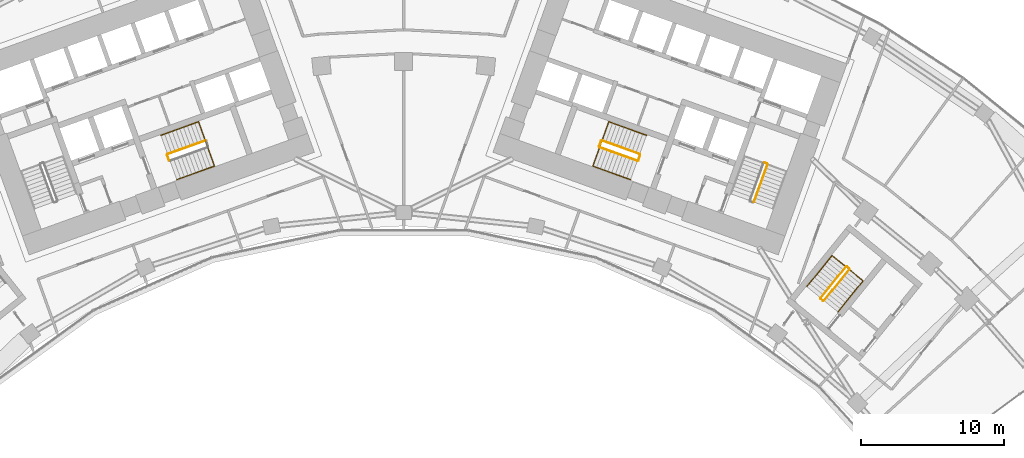
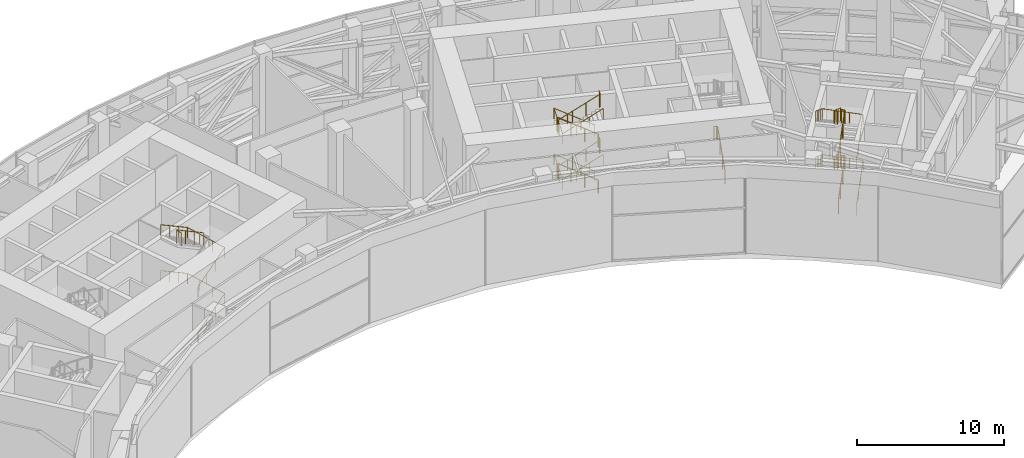
# One storey, part 31 of 32: 16 railings.
"""IFC4 building model written with IfcOpenShell, lengths in metres."""

from ifc_helpers import new_model, si_unit, direction, frame, origin, origin_2d, place, context, subcontext, project, spatial, circle, extrude, material, type_object, element, save


model = new_model("IFC4")

# Units and contexts
model_context = context("Model", 3, precision=1e-05, world=origin(), true_north=direction((0.0, 1.0)))
body_context = subcontext(model_context, "Body", "Model", "MODEL_VIEW")
ifc_project = project(units=[si_unit("LENGTHUNIT", "METRE"), si_unit("AREAUNIT", "SQUARE_METRE"), si_unit("VOLUMEUNIT", "CUBIC_METRE"), si_unit("PLANEANGLEUNIT", "RADIAN"), si_unit("MASSUNIT", "GRAM", prefix="KILO")], contexts=[model_context])

# Site, building, storey
site_placement = place(None, origin())
site = spatial("IfcSite", under=ifc_project, at=site_placement, CompositionType="ELEMENT")
building_placement = place(site_placement, origin())
building = spatial("IfcBuilding", under=site, at=building_placement, Name="Stone Belt Terrace Tower", CompositionType="ELEMENT")
storey_placement = place(building_placement, frame((0.0, 0.0, 193.39990234375)))
storey = spatial("IfcBuildingStorey", under=building, at=storey_placement, Name="L47", CompositionType="ELEMENT", Elevation=193.39990234375)

# Railings
ifc_material = material(Name="Structural steel C345", Category="steel")
railing_type_1 = type_object("IfcRailingType", Name="Stair guard 1100", PredefinedType="GUARDRAIL", material=ifc_material)
railing_1_placement = place(storey_placement, frame((-13.873046875, 49.47509765625, 5.872802734375)))
element("IfcRailing", 1, at=railing_1_placement, inside=storey, type_object=railing_type_1, Name="L47 ST2A stair guard 4", PredefinedType="GUARDRAIL", context=body_context, shape_type="SweptSolid", body=[
    extrude(circle(Radius=0.02392578125, at=origin_2d()), frame((0.0, 0.0, 1.076171875), z_axis=(-0.800808895155, -0.288160591223, 0.52504150989), x_axis=(0.338583606334, -0.940936311087, 0.0)), (0.0, 0.0, 1.0), 3.289794921875),
    extrude(circle(Radius=0.02392578125, at=origin_2d()), frame((-2.634521484375, -0.947998046875, 2.80322265625), z_axis=(-0.427789722475, -0.903878284585, 0.0), x_axis=(0.903878284585, -0.427789722475, 0.0)), (0.0, 0.0, 1.0), 0.07080078125),
    extrude(circle(Radius=0.02392578125, at=origin_2d()), frame((-2.664794921875, -1.011962890625, 2.80322265625), z_axis=(0.338654645739, -0.940910745459, 0.0), x_axis=(0.940910745459, 0.338654645739, 0.0)), (0.0, 0.0, 1.0), 0.400146484375),
    extrude(circle(Radius=0.02099609375, at=origin_2d()), origin(), (0.0, 0.0, 1.0), 1.052001953125),
    extrude(circle(Radius=0.02099609375, at=origin_2d()), frame((-0.878173828125, -0.31591796875, 0.57568359375)), (0.0, 0.0, 1.0), 1.052001953125),
    extrude(circle(Radius=0.02099609375, at=origin_2d()), frame((-1.75634765625, -0.632080078125, 1.151611328125)), (0.0, 0.0, 1.0), 1.052001953125),
    extrude(circle(Radius=0.02099609375, at=origin_2d()), frame((-2.634521484375, -0.947998046875, 1.727294921875)), (0.0, 0.0, 1.0), 1.052001953125),
    extrude(circle(Radius=0.02099609375, at=origin_2d()), frame((-2.664794921875, -1.011962890625, 1.727294921875)), (0.0, 0.0, 1.0), 1.052001953125),
    extrude(circle(Radius=0.02099609375, at=origin_2d()), frame((-2.529296875, -1.388427734375, 1.727294921875)), (0.0, 0.0, 1.0), 1.052001953125),
])
railing_2_placement = place(storey_placement, frame((24.494140625, 45.174560546875, 0.1728515625)))
element("IfcRailing", 2, at=railing_2_placement, inside=storey, type_object=railing_type_1, Name="L47 ST1B stair guard 1", PredefinedType="GUARDRAIL", context=body_context, shape_type="SweptSolid", body=[
    extrude(circle(Radius=0.02392578125, at=origin_2d()), frame((0.0, 0.0, 1.076171875), z_axis=(0.288228637646, 0.800791768495, 0.525030280985), x_axis=(-0.940908529223, 0.338660803216, 0.0)), (0.0, 0.0, 1.0), 3.289794921875),
    extrude(circle(Radius=0.02392578125, at=origin_2d()), frame((0.9482421875, 2.634521484375, 2.80322265625), z_axis=(-0.424964916, 0.905209821074, 0.0), x_axis=(-0.905209821074, -0.424964916, 0.0)), (0.0, 0.0, 1.0), 0.070556640625),
    extrude(circle(Radius=0.02392578125, at=origin_2d()), frame((0.918212890625, 2.698486328125, 2.80322265625), z_axis=(-0.941105063269, 0.338114270461, 0.0), x_axis=(-0.338114270461, -0.941105063269, 0.0)), (0.0, 0.0, 1.0), 0.199951171875),
    extrude(circle(Radius=0.02099609375, at=origin_2d()), origin(), (0.0, 0.0, 1.0), 1.052001953125),
    extrude(circle(Radius=0.02099609375, at=origin_2d()), frame((0.316162109375, 0.878173828125, 0.57568359375)), (0.0, 0.0, 1.0), 1.052001953125),
    extrude(circle(Radius=0.02099609375, at=origin_2d()), frame((0.632080078125, 1.75634765625, 1.151611328125)), (0.0, 0.0, 1.0), 1.052001953125),
    extrude(circle(Radius=0.02099609375, at=origin_2d()), frame((0.9482421875, 2.634521484375, 1.727294921875)), (0.0, 0.0, 1.0), 1.052001953125),
    extrude(circle(Radius=0.02099609375, at=origin_2d()), frame((0.918212890625, 2.698486328125, 1.727294921875)), (0.0, 0.0, 1.0), 1.052001953125),
    extrude(circle(Radius=0.02099609375, at=origin_2d()), frame((0.72998046875, 2.76611328125, 1.727294921875)), (0.0, 0.0, 1.0), 1.052001953125),
])
railing_3_placement = place(storey_placement, frame((16.507568359375, 48.527099609375, 0.1728515625)))
element("IfcRailing", 3, at=railing_3_placement, inside=storey, type_object=railing_type_1, Name="L47 ST2B stair guard 1", PredefinedType="GUARDRAIL", context=body_context, shape_type="SweptSolid", body=[
    extrude(circle(Radius=0.02392578125, at=origin_2d()), frame((0.0, 0.0, 1.076171875), z_axis=(-0.800808895155, 0.288160591223, 0.52504150989), x_axis=(-0.338583606334, -0.940936311087, 0.0)), (0.0, 0.0, 1.0), 3.289794921875),
    extrude(circle(Radius=0.02392578125, at=origin_2d()), frame((-2.634521484375, 0.947998046875, 2.80322265625), z_axis=(-0.905209821074, -0.424964916, 0.0), x_axis=(0.424964916, -0.905209821074, 0.0)), (0.0, 0.0, 1.0), 0.070556640625),
    extrude(circle(Radius=0.02392578125, at=origin_2d()), frame((-2.698486328125, 0.91796875, 2.80322265625), z_axis=(-0.338654645739, -0.940910745459, 0.0), x_axis=(0.940910745459, -0.338654645739, 0.0)), (0.0, 0.0, 1.0), 0.400146484375),
    extrude(circle(Radius=0.02099609375, at=origin_2d()), origin(), (0.0, 0.0, 1.0), 1.052001953125),
    extrude(circle(Radius=0.02099609375, at=origin_2d()), frame((-0.878173828125, 0.31591796875, 0.57568359375)), (0.0, 0.0, 1.0), 1.052001953125),
    extrude(circle(Radius=0.02099609375, at=origin_2d()), frame((-1.75634765625, 0.632080078125, 1.151611328125)), (0.0, 0.0, 1.0), 1.052001953125),
    extrude(circle(Radius=0.02099609375, at=origin_2d()), frame((-2.634521484375, 0.947998046875, 1.727294921875)), (0.0, 0.0, 1.0), 1.052001953125),
    extrude(circle(Radius=0.02099609375, at=origin_2d()), frame((-2.698486328125, 0.91796875, 1.727294921875)), (0.0, 0.0, 1.0), 1.052001953125),
    extrude(circle(Radius=0.02099609375, at=origin_2d()), frame((-2.833984375, 0.54150390625, 1.727294921875)), (0.0, 0.0, 1.0), 1.052001953125),
])
railing_4_placement = place(storey_placement, frame((13.703857421875, 49.004638671875, 2.07275390625)))
element("IfcRailing", 4, at=railing_4_placement, inside=storey, type_object=railing_type_1, Name="L47 ST2B stair guard 2", PredefinedType="GUARDRAIL", context=body_context, shape_type="SweptSolid", body=[
    extrude(circle(Radius=0.02392578125, at=origin_2d()), frame((0.0, 0.0, 1.076171875), z_axis=(0.800808895155, -0.288160591223, 0.52504150989), x_axis=(0.338583606334, 0.940936311087, 0.0)), (0.0, 0.0, 1.0), 3.289794921875),
    extrude(circle(Radius=0.02392578125, at=origin_2d()), frame((2.634521484375, -0.947998046875, 2.80322265625), z_axis=(0.905209821074, 0.424964916, 0.0), x_axis=(-0.424964916, 0.905209821074, 0.0)), (0.0, 0.0, 1.0), 0.070556640625),
    extrude(circle(Radius=0.02392578125, at=origin_2d()), frame((2.698486328125, -0.91796875, 2.80322265625), z_axis=(0.338654645739, 0.940910745459, 0.0), x_axis=(-0.940910745459, 0.338654645739, 0.0)), (0.0, 0.0, 1.0), 0.400146484375),
    extrude(circle(Radius=0.02099609375, at=origin_2d()), origin(), (0.0, 0.0, 1.0), 1.052001953125),
    extrude(circle(Radius=0.02099609375, at=origin_2d()), frame((0.878173828125, -0.31591796875, 0.57568359375)), (0.0, 0.0, 1.0), 1.052001953125),
    extrude(circle(Radius=0.02099609375, at=origin_2d()), frame((1.75634765625, -0.632080078125, 1.151611328125)), (0.0, 0.0, 1.0), 1.052001953125),
    extrude(circle(Radius=0.02099609375, at=origin_2d()), frame((2.634521484375, -0.947998046875, 1.727294921875)), (0.0, 0.0, 1.0), 1.052001953125),
    extrude(circle(Radius=0.02099609375, at=origin_2d()), frame((2.698486328125, -0.91796875, 1.727294921875)), (0.0, 0.0, 1.0), 1.052001953125),
    extrude(circle(Radius=0.02099609375, at=origin_2d()), frame((2.833984375, -0.54150390625, 1.727294921875)), (0.0, 0.0, 1.0), 1.052001953125),
])
railing_5_placement = place(storey_placement, frame((16.507568359375, 48.527099609375, 3.972900390625)))
element("IfcRailing", 5, at=railing_5_placement, inside=storey, type_object=railing_type_1, Name="L47 ST2B stair guard 3", PredefinedType="GUARDRAIL", context=body_context, shape_type="SweptSolid", body=[
    extrude(circle(Radius=0.02392578125, at=origin_2d()), frame((0.0, 0.0, 1.076171875), z_axis=(-0.800808895155, 0.288160591223, 0.52504150989), x_axis=(-0.338583606334, -0.940936311087, 0.0)), (0.0, 0.0, 1.0), 3.289794921875),
    extrude(circle(Radius=0.02392578125, at=origin_2d()), frame((-2.634521484375, 0.947998046875, 2.80322265625), z_axis=(-0.905209821074, -0.424964916, 0.0), x_axis=(0.424964916, -0.905209821074, 0.0)), (0.0, 0.0, 1.0), 0.070556640625),
    extrude(circle(Radius=0.02392578125, at=origin_2d()), frame((-2.698486328125, 0.91796875, 2.80322265625), z_axis=(-0.338654645739, -0.940910745459, 0.0), x_axis=(0.940910745459, -0.338654645739, 0.0)), (0.0, 0.0, 1.0), 0.400146484375),
    extrude(circle(Radius=0.02099609375, at=origin_2d()), origin(), (0.0, 0.0, 1.0), 1.052001953125),
    extrude(circle(Radius=0.02099609375, at=origin_2d()), frame((-0.878173828125, 0.31591796875, 0.57568359375)), (0.0, 0.0, 1.0), 1.052001953125),
    extrude(circle(Radius=0.02099609375, at=origin_2d()), frame((-1.75634765625, 0.632080078125, 1.151611328125)), (0.0, 0.0, 1.0), 1.052001953125),
    extrude(circle(Radius=0.02099609375, at=origin_2d()), frame((-2.634521484375, 0.947998046875, 1.727294921875)), (0.0, 0.0, 1.0), 1.052001953125),
    extrude(circle(Radius=0.02099609375, at=origin_2d()), frame((-2.698486328125, 0.91796875, 1.727294921875)), (0.0, 0.0, 1.0), 1.052001953125),
    extrude(circle(Radius=0.02099609375, at=origin_2d()), frame((-2.833984375, 0.54150390625, 1.727294921875)), (0.0, 0.0, 1.0), 1.052001953125),
])
railing_6_placement = place(storey_placement, frame((13.703857421875, 49.004638671875, 5.872802734375)))
element("IfcRailing", 6, at=railing_6_placement, inside=storey, type_object=railing_type_1, Name="L47 ST2B stair guard 4", PredefinedType="GUARDRAIL", context=body_context, shape_type="SweptSolid", body=[
    extrude(circle(Radius=0.02392578125, at=origin_2d()), frame((0.0, 0.0, 1.076171875), z_axis=(0.800808895155, -0.288160591223, 0.52504150989), x_axis=(0.338583606334, 0.940936311087, 0.0)), (0.0, 0.0, 1.0), 3.289794921875),
    extrude(circle(Radius=0.02392578125, at=origin_2d()), frame((2.634521484375, -0.947998046875, 2.80322265625), z_axis=(0.905209821074, 0.424964916, 0.0), x_axis=(-0.424964916, 0.905209821074, 0.0)), (0.0, 0.0, 1.0), 0.070556640625),
    extrude(circle(Radius=0.02392578125, at=origin_2d()), frame((2.698486328125, -0.91796875, 2.80322265625), z_axis=(0.338654645739, 0.940910745459, 0.0), x_axis=(-0.940910745459, 0.338654645739, 0.0)), (0.0, 0.0, 1.0), 0.400146484375),
    extrude(circle(Radius=0.02099609375, at=origin_2d()), origin(), (0.0, 0.0, 1.0), 1.052001953125),
    extrude(circle(Radius=0.02099609375, at=origin_2d()), frame((0.878173828125, -0.31591796875, 0.57568359375)), (0.0, 0.0, 1.0), 1.052001953125),
    extrude(circle(Radius=0.02099609375, at=origin_2d()), frame((1.75634765625, -0.632080078125, 1.151611328125)), (0.0, 0.0, 1.0), 1.052001953125),
    extrude(circle(Radius=0.02099609375, at=origin_2d()), frame((2.634521484375, -0.947998046875, 1.727294921875)), (0.0, 0.0, 1.0), 1.052001953125),
    extrude(circle(Radius=0.02099609375, at=origin_2d()), frame((2.698486328125, -0.91796875, 1.727294921875)), (0.0, 0.0, 1.0), 1.052001953125),
    extrude(circle(Radius=0.02099609375, at=origin_2d()), frame((2.833984375, -0.54150390625, 1.727294921875)), (0.0, 0.0, 1.0), 1.052001953125),
])
railing_7_placement = place(storey_placement, frame((29.39794921875, 38.281982421875, 0.1728515625)))
element("IfcRailing", 7, at=railing_7_placement, inside=storey, type_object=railing_type_1, Name="L47 ST3B stair guard 1", PredefinedType="GUARDRAIL", context=body_context, shape_type="SweptSolid", body=[
    extrude(circle(Radius=0.02392578125, at=origin_2d()), frame((0.0, 0.0, 1.076171875), z_axis=(0.536393061503, 0.660769759217, 0.525038864158), x_axis=(-0.776391310223, 0.630251166924, 0.0)), (0.0, 0.0, 1.0), 3.289794921875),
    extrude(circle(Radius=0.02392578125, at=origin_2d()), frame((1.7646484375, 2.173828125, 2.80322265625), z_axis=(-0.103251414163, 0.994655289773, 0.0), x_axis=(-0.994655289773, -0.103251414163, 0.0)), (0.0, 0.0, 1.0), 0.071044921875),
    extrude(circle(Radius=0.02392578125, at=origin_2d()), frame((1.75732421875, 2.244384765625, 2.80322265625), z_axis=(-0.776561986372, 0.630040856868, 0.0), x_axis=(-0.630040856868, -0.776561986372, 0.0)), (0.0, 0.0, 1.0), 0.199951171875),
    extrude(circle(Radius=0.02099609375, at=origin_2d()), origin(), (0.0, 0.0, 1.0), 1.052001953125),
    extrude(circle(Radius=0.02099609375, at=origin_2d()), frame((0.588134765625, 0.724609375, 0.57568359375)), (0.0, 0.0, 1.0), 1.052001953125),
    extrude(circle(Radius=0.02099609375, at=origin_2d()), frame((1.176513671875, 1.44921875, 1.151611328125)), (0.0, 0.0, 1.0), 1.052001953125),
    extrude(circle(Radius=0.02099609375, at=origin_2d()), frame((1.7646484375, 2.173828125, 1.727294921875)), (0.0, 0.0, 1.0), 1.052001953125),
    extrude(circle(Radius=0.02099609375, at=origin_2d()), frame((1.75732421875, 2.244384765625, 1.727294921875)), (0.0, 0.0, 1.0), 1.052001953125),
    extrude(circle(Radius=0.02099609375, at=origin_2d()), frame((1.60205078125, 2.370361328125, 1.727294921875)), (0.0, 0.0, 1.0), 1.052001953125),
])
railing_8_placement = place(storey_placement, frame((30.9296875, 40.64501953125, 2.07275390625)))
element("IfcRailing", 8, at=railing_8_placement, inside=storey, type_object=railing_type_1, Name="L47 ST3B stair guard 2", PredefinedType="GUARDRAIL", context=body_context, shape_type="SweptSolid", body=[
    extrude(circle(Radius=0.02392578125, at=origin_2d()), frame((0.0, 0.0, 1.076171875), z_axis=(-0.536366759382, -0.660811565066, 0.525013118792), x_axis=(0.776425942316, -0.630208502084, 0.0)), (0.0, 0.0, 1.0), 3.2900390625),
    extrude(circle(Radius=0.02392578125, at=origin_2d()), frame((-1.7646484375, -2.174072265625, 2.80322265625), z_axis=(0.103606084259, -0.994618408891, 0.0), x_axis=(0.994618408891, 0.103606084259, 0.0)), (0.0, 0.0, 1.0), 0.07080078125),
    extrude(circle(Radius=0.02392578125, at=origin_2d()), frame((-1.75732421875, -2.244384765625, 2.80322265625), z_axis=(0.776561986372, -0.630040856868, 0.0), x_axis=(0.630040856868, 0.776561986372, 0.0)), (0.0, 0.0, 1.0), 0.199951171875),
    extrude(circle(Radius=0.02099609375, at=origin_2d()), origin(), (0.0, 0.0, 1.0), 1.052001953125),
    extrude(circle(Radius=0.02099609375, at=origin_2d()), frame((-0.588134765625, -0.724609375, 0.57568359375)), (0.0, 0.0, 1.0), 1.052001953125),
    extrude(circle(Radius=0.02099609375, at=origin_2d()), frame((-1.176513671875, -1.449462890625, 1.151611328125)), (0.0, 0.0, 1.0), 1.052001953125),
    extrude(circle(Radius=0.02099609375, at=origin_2d()), frame((-1.7646484375, -2.174072265625, 1.727294921875)), (0.0, 0.0, 1.0), 1.052001953125),
    extrude(circle(Radius=0.02099609375, at=origin_2d()), frame((-1.75732421875, -2.244384765625, 1.727294921875)), (0.0, 0.0, 1.0), 1.052001953125),
    extrude(circle(Radius=0.02099609375, at=origin_2d()), frame((-1.60205078125, -2.370361328125, 1.727294921875)), (0.0, 0.0, 1.0), 1.052001953125),
])
railing_9_placement = place(storey_placement, frame((29.39794921875, 38.281982421875, 3.972900390625)))
element("IfcRailing", 9, at=railing_9_placement, inside=storey, type_object=railing_type_1, Name="L47 ST3B stair guard 3", PredefinedType="GUARDRAIL", context=body_context, shape_type="SweptSolid", body=[
    extrude(circle(Radius=0.02392578125, at=origin_2d()), frame((0.0, 0.0, 1.076171875), z_axis=(0.536393061503, 0.660769759217, 0.525038864158), x_axis=(-0.776391310223, 0.630251166924, 0.0)), (0.0, 0.0, 1.0), 3.289794921875),
    extrude(circle(Radius=0.02392578125, at=origin_2d()), frame((1.7646484375, 2.173828125, 2.80322265625), z_axis=(-0.103251414163, 0.994655289773, 0.0), x_axis=(-0.994655289773, -0.103251414163, 0.0)), (0.0, 0.0, 1.0), 0.071044921875),
    extrude(circle(Radius=0.02392578125, at=origin_2d()), frame((1.75732421875, 2.244384765625, 2.80322265625), z_axis=(-0.776561986372, 0.630040856868, 0.0), x_axis=(-0.630040856868, -0.776561986372, 0.0)), (0.0, 0.0, 1.0), 0.199951171875),
    extrude(circle(Radius=0.02099609375, at=origin_2d()), origin(), (0.0, 0.0, 1.0), 1.052001953125),
    extrude(circle(Radius=0.02099609375, at=origin_2d()), frame((0.588134765625, 0.724609375, 0.57568359375)), (0.0, 0.0, 1.0), 1.052001953125),
    extrude(circle(Radius=0.02099609375, at=origin_2d()), frame((1.176513671875, 1.44921875, 1.151611328125)), (0.0, 0.0, 1.0), 1.052001953125),
    extrude(circle(Radius=0.02099609375, at=origin_2d()), frame((1.7646484375, 2.173828125, 1.727294921875)), (0.0, 0.0, 1.0), 1.052001953125),
    extrude(circle(Radius=0.02099609375, at=origin_2d()), frame((1.75732421875, 2.244384765625, 1.727294921875)), (0.0, 0.0, 1.0), 1.052001953125),
    extrude(circle(Radius=0.02099609375, at=origin_2d()), frame((1.60205078125, 2.370361328125, 1.727294921875)), (0.0, 0.0, 1.0), 1.052001953125),
])
railing_10_placement = place(storey_placement, frame((30.9296875, 40.64501953125, 5.872802734375)))
element("IfcRailing", 10, at=railing_10_placement, inside=storey, type_object=railing_type_1, Name="L47 ST3B stair guard 4", PredefinedType="GUARDRAIL", context=body_context, shape_type="SweptSolid", body=[
    extrude(circle(Radius=0.02392578125, at=origin_2d()), frame((0.0, 0.0, 1.076171875), z_axis=(-0.536366759382, -0.660811565066, 0.525013118792), x_axis=(0.776425942316, -0.630208502084, 0.0)), (0.0, 0.0, 1.0), 3.2900390625),
    extrude(circle(Radius=0.02392578125, at=origin_2d()), frame((-1.7646484375, -2.174072265625, 2.80322265625), z_axis=(0.103606084259, -0.994618408891, 0.0), x_axis=(0.994618408891, 0.103606084259, 0.0)), (0.0, 0.0, 1.0), 0.07080078125),
    extrude(circle(Radius=0.02392578125, at=origin_2d()), frame((-1.75732421875, -2.244384765625, 2.80322265625), z_axis=(0.776561986372, -0.630040856868, 0.0), x_axis=(0.630040856868, 0.776561986372, 0.0)), (0.0, 0.0, 1.0), 0.199951171875),
    extrude(circle(Radius=0.02099609375, at=origin_2d()), origin(), (0.0, 0.0, 1.0), 1.052001953125),
    extrude(circle(Radius=0.02099609375, at=origin_2d()), frame((-0.588134765625, -0.724609375, 0.57568359375)), (0.0, 0.0, 1.0), 1.052001953125),
    extrude(circle(Radius=0.02099609375, at=origin_2d()), frame((-1.176513671875, -1.449462890625, 1.151611328125)), (0.0, 0.0, 1.0), 1.052001953125),
    extrude(circle(Radius=0.02099609375, at=origin_2d()), frame((-1.7646484375, -2.174072265625, 1.727294921875)), (0.0, 0.0, 1.0), 1.052001953125),
    extrude(circle(Radius=0.02099609375, at=origin_2d()), frame((-1.75732421875, -2.244384765625, 1.727294921875)), (0.0, 0.0, 1.0), 1.052001953125),
    extrude(circle(Radius=0.02099609375, at=origin_2d()), frame((-1.60205078125, -2.370361328125, 1.727294921875)), (0.0, 0.0, 1.0), 1.052001953125),
])
railing_type_2 = type_object("IfcRailingType", Name="Stair handrail 900", PredefinedType="HANDRAIL", material=ifc_material)
railing_11_placement = place(storey_placement, frame((-15.8642578125, 46.7392578125, 0.1728515625)))
element("IfcRailing", 11, at=railing_11_placement, inside=storey, type_object=railing_type_2, Name="L47 ST2A stair handrail 1", PredefinedType="HANDRAIL", context=body_context, shape_type="SweptSolid", body=[
    extrude(circle(Radius=0.02392578125, at=origin_2d()), frame((0.0, 0.0, 0.8759765625), z_axis=(0.800791768495, 0.288228637646, 0.525030280985), x_axis=(-0.338660803216, 0.940908529223, 0.0)), (0.0, 0.0, 1.0), 3.289794921875),
    extrude(circle(Radius=0.02392578125, at=origin_2d()), frame((2.634521484375, 0.9482421875, 2.60302734375), z_axis=(-0.338160254016, 0.939637778147, 0.052234935458), x_axis=(-0.940922302781, -0.338622533404, 0.0)), (0.0, 0.0, 1.0), 3.304443359375),
    extrude(circle(Radius=0.02392578125, at=origin_2d()), frame((1.51708984375, 4.05322265625, 2.77587890625), z_axis=(-0.800791768495, -0.288228637646, 0.525030280985), x_axis=(0.338660803216, -0.940908529223, 0.0)), (0.0, 0.0, 1.0), 3.289794921875),
    extrude(circle(Radius=0.02099609375, at=origin_2d()), origin(), (0.0, 0.0, 1.0), 0.851806640625),
    extrude(circle(Radius=0.02099609375, at=origin_2d()), frame((0.878173828125, 0.316162109375, 0.57568359375)), (0.0, 0.0, 1.0), 0.851806640625),
    extrude(circle(Radius=0.02099609375, at=origin_2d()), frame((1.75634765625, 0.632080078125, 1.151611328125)), (0.0, 0.0, 1.0), 0.851806640625),
    extrude(circle(Radius=0.02099609375, at=origin_2d()), frame((2.634521484375, 0.9482421875, 1.727294921875)), (0.0, 0.0, 1.0), 0.851806640625),
    extrude(circle(Radius=0.02099609375, at=origin_2d()), frame((2.261962890625, 1.983154296875, 1.784912109375)), (0.0, 0.0, 1.0), 0.851806640625),
    extrude(circle(Radius=0.02099609375, at=origin_2d()), frame((1.8896484375, 3.018310546875, 1.84228515625)), (0.0, 0.0, 1.0), 0.851806640625),
    extrude(circle(Radius=0.02099609375, at=origin_2d()), frame((1.51708984375, 4.05322265625, 1.89990234375)), (0.0, 0.0, 1.0), 0.851806640625),
    extrude(circle(Radius=0.02099609375, at=origin_2d()), frame((0.638916015625, 3.737060546875, 2.4755859375)), (0.0, 0.0, 1.0), 0.851806640625),
    extrude(circle(Radius=0.02099609375, at=origin_2d()), frame((-0.2392578125, 3.421142578125, 3.051513671875)), (0.0, 0.0, 1.0), 0.851806640625),
    extrude(circle(Radius=0.02099609375, at=origin_2d()), frame((-1.117431640625, 3.10498046875, 3.627197265625)), (0.0, 0.0, 1.0), 0.851806640625),
])
railing_12_placement = place(storey_placement, frame((-15.8642578125, 46.7392578125, 3.972900390625)))
element("IfcRailing", 12, at=railing_12_placement, inside=storey, type_object=railing_type_2, Name="L47 ST2A stair handrail 2", PredefinedType="HANDRAIL", context=body_context, shape_type="SweptSolid", body=[
    extrude(circle(Radius=0.02392578125, at=origin_2d()), frame((0.0, 0.0, 0.8759765625), z_axis=(0.800791768495, 0.288228637646, 0.525030280985), x_axis=(-0.338660803216, 0.940908529223, 0.0)), (0.0, 0.0, 1.0), 3.289794921875),
    extrude(circle(Radius=0.02392578125, at=origin_2d()), frame((2.634521484375, 0.9482421875, 2.60302734375), z_axis=(-0.338160254016, 0.939637778147, 0.052234935458), x_axis=(-0.940922302781, -0.338622533404, 0.0)), (0.0, 0.0, 1.0), 3.304443359375),
    extrude(circle(Radius=0.02392578125, at=origin_2d()), frame((1.51708984375, 4.05322265625, 2.77587890625), z_axis=(-0.800791768495, -0.288228637646, 0.525030280985), x_axis=(0.338660803216, -0.940908529223, 0.0)), (0.0, 0.0, 1.0), 3.289794921875),
    extrude(circle(Radius=0.02099609375, at=origin_2d()), origin(), (0.0, 0.0, 1.0), 0.851806640625),
    extrude(circle(Radius=0.02099609375, at=origin_2d()), frame((0.878173828125, 0.316162109375, 0.57568359375)), (0.0, 0.0, 1.0), 0.851806640625),
    extrude(circle(Radius=0.02099609375, at=origin_2d()), frame((1.75634765625, 0.632080078125, 1.151611328125)), (0.0, 0.0, 1.0), 0.851806640625),
    extrude(circle(Radius=0.02099609375, at=origin_2d()), frame((2.634521484375, 0.9482421875, 1.727294921875)), (0.0, 0.0, 1.0), 0.851806640625),
    extrude(circle(Radius=0.02099609375, at=origin_2d()), frame((2.261962890625, 1.983154296875, 1.784912109375)), (0.0, 0.0, 1.0), 0.851806640625),
    extrude(circle(Radius=0.02099609375, at=origin_2d()), frame((1.8896484375, 3.018310546875, 1.84228515625)), (0.0, 0.0, 1.0), 0.851806640625),
    extrude(circle(Radius=0.02099609375, at=origin_2d()), frame((1.51708984375, 4.05322265625, 1.89990234375)), (0.0, 0.0, 1.0), 0.851806640625),
    extrude(circle(Radius=0.02099609375, at=origin_2d()), frame((0.638916015625, 3.737060546875, 2.4755859375)), (0.0, 0.0, 1.0), 0.851806640625),
    extrude(circle(Radius=0.02099609375, at=origin_2d()), frame((-0.2392578125, 3.421142578125, 3.051513671875)), (0.0, 0.0, 1.0), 0.851806640625),
    extrude(circle(Radius=0.02099609375, at=origin_2d()), frame((-1.117431640625, 3.10498046875, 3.627197265625)), (0.0, 0.0, 1.0), 0.851806640625),
])
railing_13_placement = place(storey_placement, frame((16.981689453125, 49.84423828125, 0.1728515625)))
element("IfcRailing", 13, at=railing_13_placement, inside=storey, type_object=railing_type_2, Name="L47 ST2B stair handrail 1", PredefinedType="HANDRAIL", context=body_context, shape_type="SweptSolid", body=[
    extrude(circle(Radius=0.02392578125, at=origin_2d()), frame((0.0, 0.0, 0.8759765625), z_axis=(-0.800791768495, 0.288228637646, 0.525030280985), x_axis=(-0.338660803216, -0.940908529223, 0.0)), (0.0, 0.0, 1.0), 3.289794921875),
    extrude(circle(Radius=0.02392578125, at=origin_2d()), frame((-2.634521484375, 0.9482421875, 2.60302734375), z_axis=(-0.338160254016, -0.939637778147, 0.052234935458), x_axis=(0.940922302781, -0.338622533404, 0.0)), (0.0, 0.0, 1.0), 3.304443359375),
    extrude(circle(Radius=0.02392578125, at=origin_2d()), frame((-3.751953125, -2.15673828125, 2.77587890625), z_axis=(0.800791768495, -0.288228637646, 0.525030280985), x_axis=(0.338660803216, 0.940908529223, 0.0)), (0.0, 0.0, 1.0), 3.289794921875),
    extrude(circle(Radius=0.02099609375, at=origin_2d()), origin(), (0.0, 0.0, 1.0), 0.851806640625),
    extrude(circle(Radius=0.02099609375, at=origin_2d()), frame((-0.878173828125, 0.316162109375, 0.57568359375)), (0.0, 0.0, 1.0), 0.851806640625),
    extrude(circle(Radius=0.02099609375, at=origin_2d()), frame((-1.75634765625, 0.632080078125, 1.151611328125)), (0.0, 0.0, 1.0), 0.851806640625),
    extrude(circle(Radius=0.02099609375, at=origin_2d()), frame((-2.634521484375, 0.9482421875, 1.727294921875)), (0.0, 0.0, 1.0), 0.851806640625),
    extrude(circle(Radius=0.02099609375, at=origin_2d()), frame((-3.007080078125, -0.086669921875, 1.784912109375)), (0.0, 0.0, 1.0), 0.851806640625),
    extrude(circle(Radius=0.02099609375, at=origin_2d()), frame((-3.37939453125, -1.121826171875, 1.84228515625)), (0.0, 0.0, 1.0), 0.851806640625),
    extrude(circle(Radius=0.02099609375, at=origin_2d()), frame((-3.751953125, -2.15673828125, 1.89990234375)), (0.0, 0.0, 1.0), 0.851806640625),
    extrude(circle(Radius=0.02099609375, at=origin_2d()), frame((-2.873779296875, -2.472900390625, 2.4755859375)), (0.0, 0.0, 1.0), 0.851806640625),
    extrude(circle(Radius=0.02099609375, at=origin_2d()), frame((-1.99560546875, -2.788818359375, 3.051513671875)), (0.0, 0.0, 1.0), 0.851806640625),
    extrude(circle(Radius=0.02099609375, at=origin_2d()), frame((-1.117431640625, -3.10498046875, 3.627197265625)), (0.0, 0.0, 1.0), 0.851806640625),
])
railing_14_placement = place(storey_placement, frame((16.981689453125, 49.84423828125, 3.972900390625)))
element("IfcRailing", 14, at=railing_14_placement, inside=storey, type_object=railing_type_2, Name="L47 ST2B stair handrail 2", PredefinedType="HANDRAIL", context=body_context, shape_type="SweptSolid", body=[
    extrude(circle(Radius=0.02392578125, at=origin_2d()), frame((0.0, 0.0, 0.8759765625), z_axis=(-0.800791768495, 0.288228637646, 0.525030280985), x_axis=(-0.338660803216, -0.940908529223, 0.0)), (0.0, 0.0, 1.0), 3.289794921875),
    extrude(circle(Radius=0.02392578125, at=origin_2d()), frame((-2.634521484375, 0.9482421875, 2.60302734375), z_axis=(-0.338160254016, -0.939637778147, 0.052234935458), x_axis=(0.940922302781, -0.338622533404, 0.0)), (0.0, 0.0, 1.0), 3.304443359375),
    extrude(circle(Radius=0.02392578125, at=origin_2d()), frame((-3.751953125, -2.15673828125, 2.77587890625), z_axis=(0.800791768495, -0.288228637646, 0.525030280985), x_axis=(0.338660803216, 0.940908529223, 0.0)), (0.0, 0.0, 1.0), 3.289794921875),
    extrude(circle(Radius=0.02099609375, at=origin_2d()), origin(), (0.0, 0.0, 1.0), 0.851806640625),
    extrude(circle(Radius=0.02099609375, at=origin_2d()), frame((-0.878173828125, 0.316162109375, 0.57568359375)), (0.0, 0.0, 1.0), 0.851806640625),
    extrude(circle(Radius=0.02099609375, at=origin_2d()), frame((-1.75634765625, 0.632080078125, 1.151611328125)), (0.0, 0.0, 1.0), 0.851806640625),
    extrude(circle(Radius=0.02099609375, at=origin_2d()), frame((-2.634521484375, 0.9482421875, 1.727294921875)), (0.0, 0.0, 1.0), 0.851806640625),
    extrude(circle(Radius=0.02099609375, at=origin_2d()), frame((-3.007080078125, -0.086669921875, 1.784912109375)), (0.0, 0.0, 1.0), 0.851806640625),
    extrude(circle(Radius=0.02099609375, at=origin_2d()), frame((-3.37939453125, -1.121826171875, 1.84228515625)), (0.0, 0.0, 1.0), 0.851806640625),
    extrude(circle(Radius=0.02099609375, at=origin_2d()), frame((-3.751953125, -2.15673828125, 1.89990234375)), (0.0, 0.0, 1.0), 0.851806640625),
    extrude(circle(Radius=0.02099609375, at=origin_2d()), frame((-2.873779296875, -2.472900390625, 2.4755859375)), (0.0, 0.0, 1.0), 0.851806640625),
    extrude(circle(Radius=0.02099609375, at=origin_2d()), frame((-1.99560546875, -2.788818359375, 3.051513671875)), (0.0, 0.0, 1.0), 0.851806640625),
    extrude(circle(Radius=0.02099609375, at=origin_2d()), frame((-1.117431640625, -3.10498046875, 3.627197265625)), (0.0, 0.0, 1.0), 0.851806640625),
])
railing_15_placement = place(storey_placement, frame((30.36865234375, 37.494140625, 0.1728515625)))
element("IfcRailing", 15, at=railing_15_placement, inside=storey, type_object=railing_type_2, Name="L47 ST3B stair handrail 1", PredefinedType="HANDRAIL", context=body_context, shape_type="SweptSolid", body=[
    extrude(circle(Radius=0.02392578125, at=origin_2d()), frame((0.0, 0.0, 0.8759765625), z_axis=(0.536366759382, 0.660811565066, 0.525013118792), x_axis=(-0.776425942316, 0.630208502084, 0.0)), (0.0, 0.0, 1.0), 3.2900390625),
    extrude(circle(Radius=0.02392578125, at=origin_2d()), frame((1.7646484375, 2.174072265625, 2.60302734375), z_axis=(-0.774954966459, 0.629014542119, 0.061526463929), x_axis=(-0.630208502084, -0.776425942316, 0.0)), (0.0, 0.0, 1.0), 2.805419921875),
    extrude(circle(Radius=0.02392578125, at=origin_2d()), frame((-0.409423828125, 3.938720703125, 2.77587890625), z_axis=(-0.536366759382, -0.660811565066, 0.525013118792), x_axis=(0.776425942316, -0.630208502084, 0.0)), (0.0, 0.0, 1.0), 3.2900390625),
    extrude(circle(Radius=0.02099609375, at=origin_2d()), origin(), (0.0, 0.0, 1.0), 0.851806640625),
    extrude(circle(Radius=0.02099609375, at=origin_2d()), frame((0.588134765625, 0.724609375, 0.57568359375)), (0.0, 0.0, 1.0), 0.851806640625),
    extrude(circle(Radius=0.02099609375, at=origin_2d()), frame((1.176513671875, 1.449462890625, 1.151611328125)), (0.0, 0.0, 1.0), 0.851806640625),
    extrude(circle(Radius=0.02099609375, at=origin_2d()), frame((1.7646484375, 2.174072265625, 1.727294921875)), (0.0, 0.0, 1.0), 0.851806640625),
    extrude(circle(Radius=0.02099609375, at=origin_2d()), frame((1.0400390625, 2.76220703125, 1.784912109375)), (0.0, 0.0, 1.0), 0.851806640625),
    extrude(circle(Radius=0.02099609375, at=origin_2d()), frame((0.315185546875, 3.3505859375, 1.84228515625)), (0.0, 0.0, 1.0), 0.851806640625),
    extrude(circle(Radius=0.02099609375, at=origin_2d()), frame((-0.409423828125, 3.938720703125, 1.89990234375)), (0.0, 0.0, 1.0), 0.851806640625),
    extrude(circle(Radius=0.02099609375, at=origin_2d()), frame((-0.99755859375, 3.214111328125, 2.4755859375)), (0.0, 0.0, 1.0), 0.851806640625),
    extrude(circle(Radius=0.02099609375, at=origin_2d()), frame((-1.5859375, 2.4892578125, 3.051513671875)), (0.0, 0.0, 1.0), 0.851806640625),
    extrude(circle(Radius=0.02099609375, at=origin_2d()), frame((-2.174072265625, 1.7646484375, 3.627197265625)), (0.0, 0.0, 1.0), 0.851806640625),
])
railing_16_placement = place(storey_placement, frame((30.36865234375, 37.494140625, 3.972900390625)))
element("IfcRailing", 16, at=railing_16_placement, inside=storey, type_object=railing_type_2, Name="L47 ST3B stair handrail 2", PredefinedType="HANDRAIL", context=body_context, shape_type="SweptSolid", body=[
    extrude(circle(Radius=0.02392578125, at=origin_2d()), frame((0.0, 0.0, 0.8759765625), z_axis=(0.536366759382, 0.660811565066, 0.525013118792), x_axis=(-0.776425942316, 0.630208502084, 0.0)), (0.0, 0.0, 1.0), 3.2900390625),
    extrude(circle(Radius=0.02392578125, at=origin_2d()), frame((1.7646484375, 2.174072265625, 2.60302734375), z_axis=(-0.774954966459, 0.629014542119, 0.061526463929), x_axis=(-0.630208502084, -0.776425942316, 0.0)), (0.0, 0.0, 1.0), 2.805419921875),
    extrude(circle(Radius=0.02392578125, at=origin_2d()), frame((-0.409423828125, 3.938720703125, 2.77587890625), z_axis=(-0.536366759382, -0.660811565066, 0.525013118792), x_axis=(0.776425942316, -0.630208502084, 0.0)), (0.0, 0.0, 1.0), 3.2900390625),
    extrude(circle(Radius=0.02099609375, at=origin_2d()), origin(), (0.0, 0.0, 1.0), 0.851806640625),
    extrude(circle(Radius=0.02099609375, at=origin_2d()), frame((0.588134765625, 0.724609375, 0.57568359375)), (0.0, 0.0, 1.0), 0.851806640625),
    extrude(circle(Radius=0.02099609375, at=origin_2d()), frame((1.176513671875, 1.449462890625, 1.151611328125)), (0.0, 0.0, 1.0), 0.851806640625),
    extrude(circle(Radius=0.02099609375, at=origin_2d()), frame((1.7646484375, 2.174072265625, 1.727294921875)), (0.0, 0.0, 1.0), 0.851806640625),
    extrude(circle(Radius=0.02099609375, at=origin_2d()), frame((1.0400390625, 2.76220703125, 1.784912109375)), (0.0, 0.0, 1.0), 0.851806640625),
    extrude(circle(Radius=0.02099609375, at=origin_2d()), frame((0.315185546875, 3.3505859375, 1.84228515625)), (0.0, 0.0, 1.0), 0.851806640625),
    extrude(circle(Radius=0.02099609375, at=origin_2d()), frame((-0.409423828125, 3.938720703125, 1.89990234375)), (0.0, 0.0, 1.0), 0.851806640625),
    extrude(circle(Radius=0.02099609375, at=origin_2d()), frame((-0.99755859375, 3.214111328125, 2.4755859375)), (0.0, 0.0, 1.0), 0.851806640625),
    extrude(circle(Radius=0.02099609375, at=origin_2d()), frame((-1.5859375, 2.4892578125, 3.051513671875)), (0.0, 0.0, 1.0), 0.851806640625),
    extrude(circle(Radius=0.02099609375, at=origin_2d()), frame((-2.174072265625, 1.7646484375, 3.627197265625)), (0.0, 0.0, 1.0), 0.851806640625),
])

save(model, "model.ifc")
